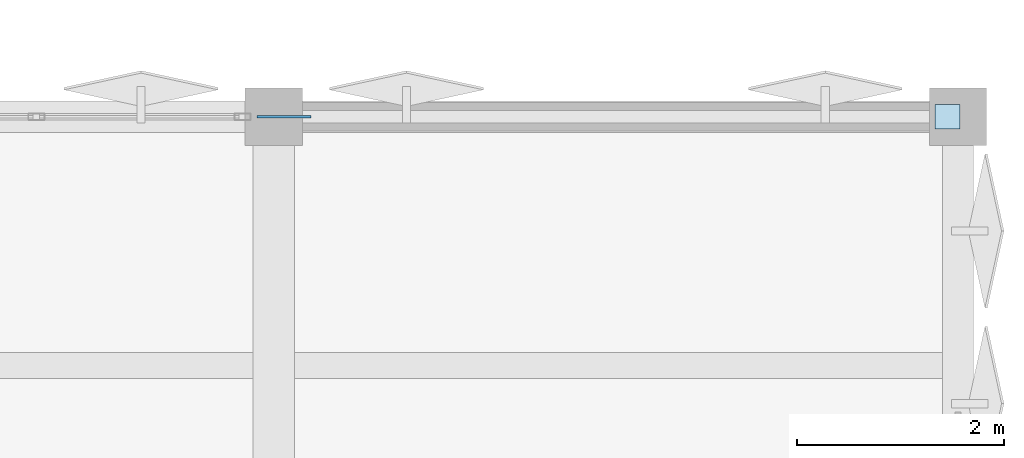
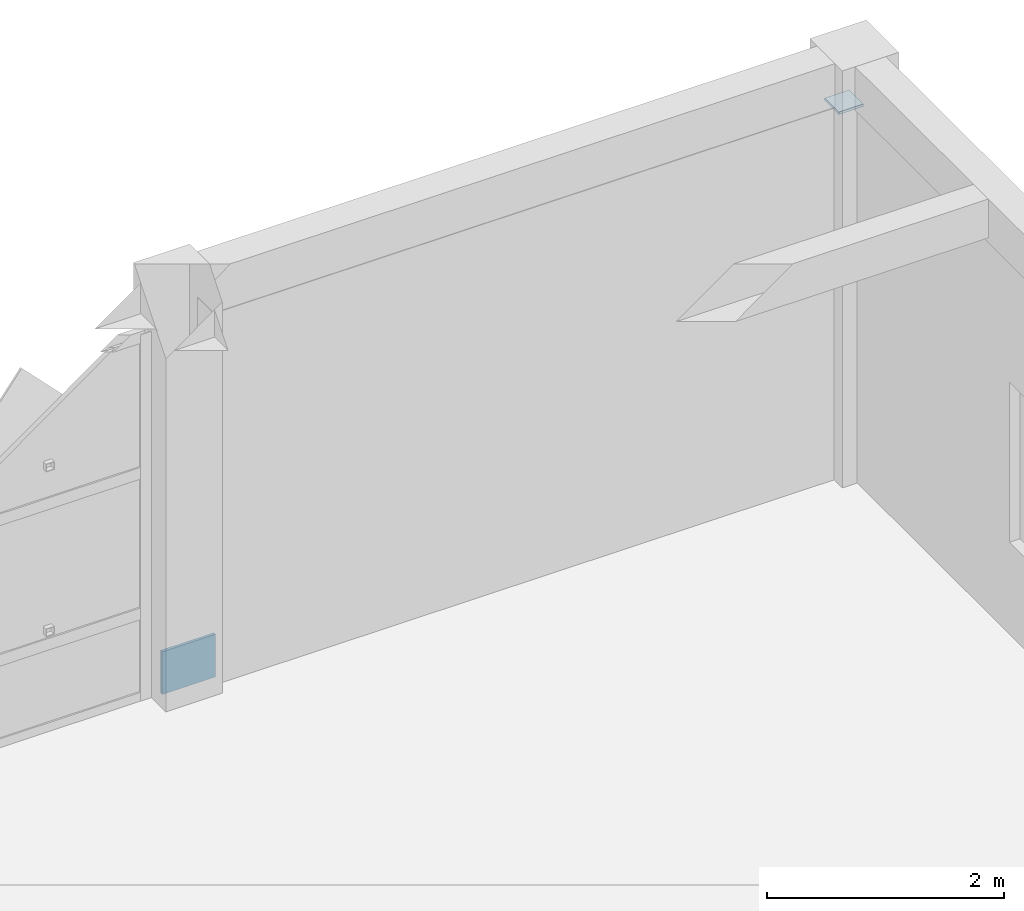
# One storey, part 26 of 36: 2 plates.
"""IFC4 building model written with IfcOpenShell, lengths in metres."""

from ifc_helpers import new_model, si_unit, direction, frame, origin, origin_2d, place, context, subcontext, project, spatial, rectangle, extrude, material, layer, layer_set, type_object, element, save


model = new_model("IFC4")

# Units and contexts
model_context = context("Model", 3, precision=1e-05, world=origin(), true_north=direction((0.0, 1.0)))
body_context = subcontext(model_context, "Body", "Model", "MODEL_VIEW")
ifc_project = project(units=[si_unit("LENGTHUNIT", "METRE"), si_unit("AREAUNIT", "SQUARE_METRE"), si_unit("VOLUMEUNIT", "CUBIC_METRE"), si_unit("PLANEANGLEUNIT", "RADIAN"), si_unit("MASSUNIT", "GRAM", prefix="KILO")], contexts=[model_context])

# Site, building, storey
site_placement = place(None, origin())
site = spatial("IfcSite", under=ifc_project, at=site_placement, CompositionType="ELEMENT")
building_placement = place(site_placement, origin())
building = spatial("IfcBuilding", under=site, at=building_placement, Name="Kharisveld Research Institute", CompositionType="ELEMENT")
storey_placement = place(building_placement, frame((0.0, 0.0, 27.60009765625)))
storey = spatial("IfcBuildingStorey", under=building, at=storey_placement, Name="L06", CompositionType="ELEMENT", Elevation=27.60009765625)

# Plates
ifc_material_1 = material(Name="Steel S355JR", Category="steel")
ifc_layer_1 = layer(ifc_material_1, 0.02587890625)
ifc_layer_set_1 = layer_set([ifc_layer_1], Name="PL_CAP_D")
plate_type_1 = type_object("IfcPlateType", Name="PL_CAP_D", PredefinedType="SHEET", material=ifc_layer_set_1)
plate_1_placement = place(storey_placement, frame((160.699951171875, 60.800048828125, 3.737060546875), z_axis=(0.0, 0.0, 1.0), x_axis=(1.0, 0.0, 0.0)))
element("IfcPlate", 1, at=plate_1_placement, inside=storey, type_object=plate_type_1, Name="PLT:V2:L06:CAP_6_3", PredefinedType="SHEET", context=body_context, shape_type="SweptSolid", body=[
    extrude(rectangle(XDim=0.239990234375, YDim=0.239990234375, at=origin_2d()), origin(), (0.0, 0.0, 1.0), 0.02587890625),
])
ifc_material_2 = material(Name="Steel S355JR", Category="steel")
ifc_layer_2 = layer(ifc_material_2, 0.028076171875)
ifc_layer_set_2 = layer_set([ifc_layer_2], Name="PL_GUS_D")
plate_type_2 = type_object("IfcPlateType", Name="PL_GUS_D", PredefinedType="USERDEFINED", material=ifc_layer_set_2)
plate_2_placement = place(storey_placement, frame((154.300048828125, 60.800048828125, -0.02001953125), z_axis=(0.0, 0.0, 1.0), x_axis=(1.0, 0.0, 0.0)))
element("IfcPlate", 2, at=plate_2_placement, inside=storey, type_object=plate_type_2, Name="PLT:V2:L06:GUS_6_3", ObjectType="GUSSET PLATE", PredefinedType="USERDEFINED", context=body_context, shape_type="SweptSolid", body=[
    extrude(rectangle(XDim=0.52001953125, YDim=0.028076171875, at=origin_2d()), origin(), (0.0, 0.0, 1.0), 0.43994140625),
])

save(model, "model.ifc")
